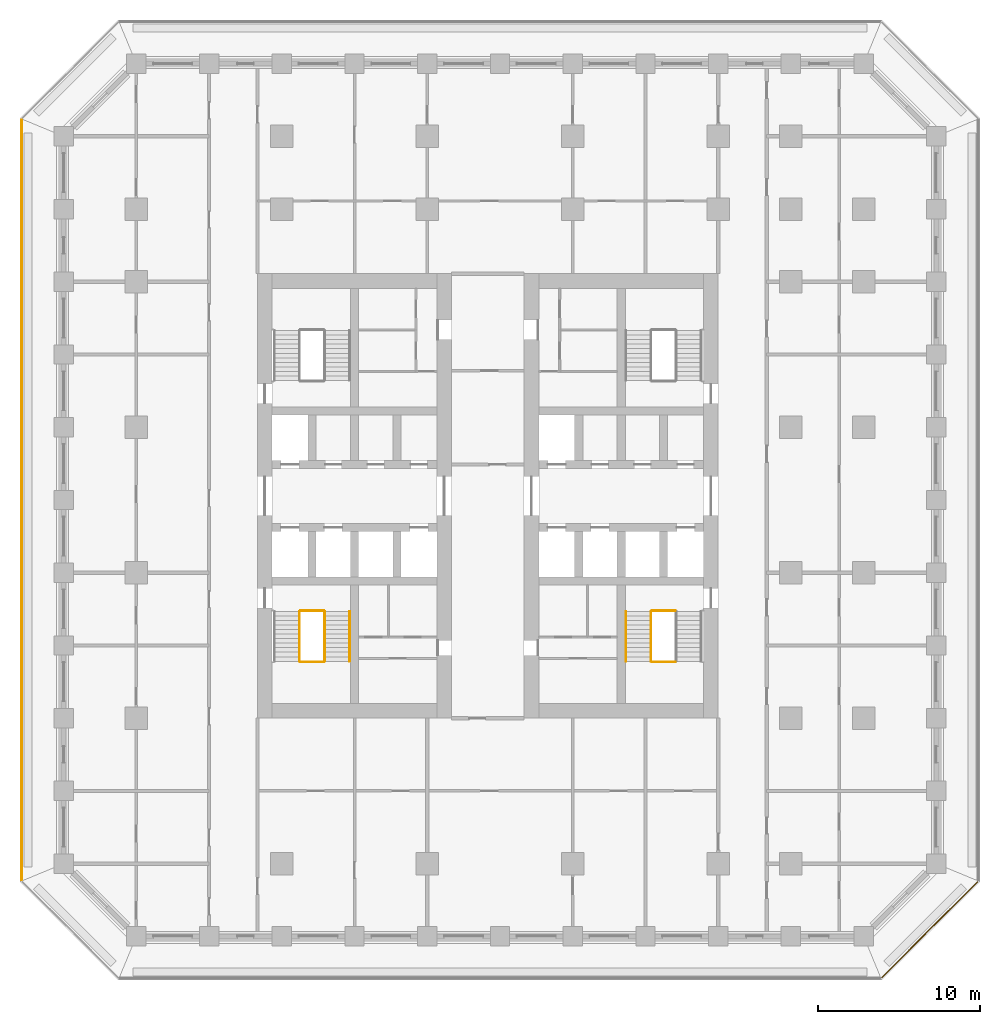
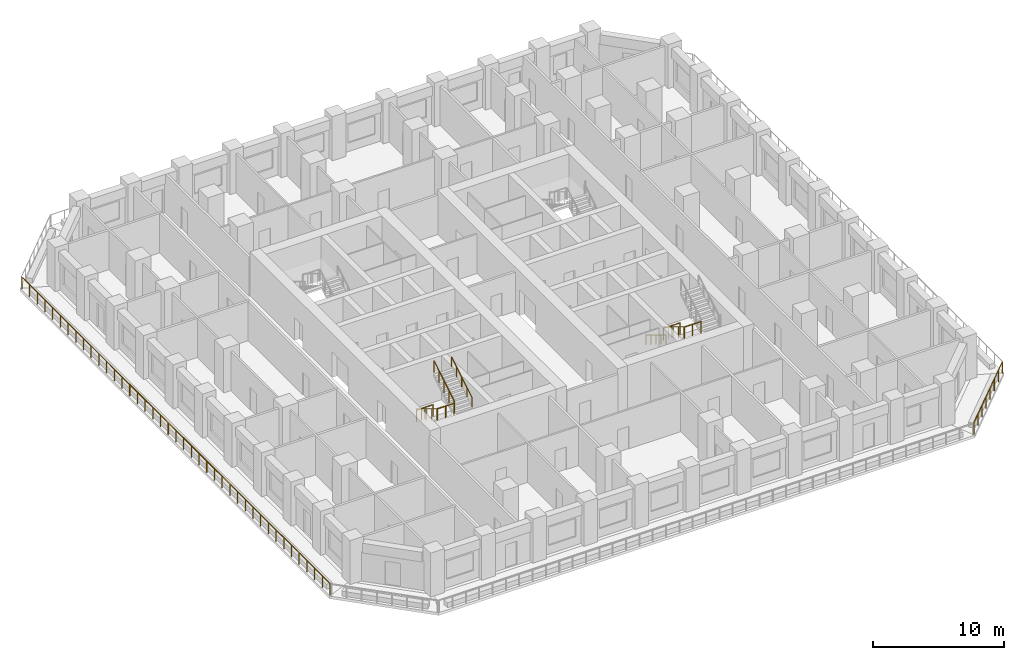
# One storey, part 12 of 18: 11 railings.
"""IFC4 building model written with IfcOpenShell, lengths in metres."""

from ifc_helpers import new_model, si_unit, direction, frame, origin, origin_2d, place, context, subcontext, project, spatial, circle, extrude, material, type_object, element, save


model = new_model("IFC4")

# Units and contexts
model_context = context("Model", 3, precision=1e-05, world=origin(), true_north=direction((0.0, 1.0)))
body_context = subcontext(model_context, "Body", "Model", "MODEL_VIEW")
ifc_project = project(units=[si_unit("LENGTHUNIT", "METRE"), si_unit("AREAUNIT", "SQUARE_METRE"), si_unit("VOLUMEUNIT", "CUBIC_METRE"), si_unit("PLANEANGLEUNIT", "RADIAN"), si_unit("MASSUNIT", "GRAM", prefix="KILO")], contexts=[model_context])

# Site, building, storey
site_placement = place(None, origin())
site = spatial("IfcSite", under=ifc_project, at=site_placement, CompositionType="ELEMENT")
building_placement = place(site_placement, origin())
building = spatial("IfcBuilding", under=site, at=building_placement, Name="Corbel Stack Research Tower", CompositionType="ELEMENT")
storey_placement = place(building_placement, frame((0.0, 0.0, 102.5)))
storey = spatial("IfcBuildingStorey", under=building, at=storey_placement, Name="L23", CompositionType="ELEMENT", Elevation=102.5)

# Railings
ifc_material_1 = material(Name="Steel S355", Category="steel")
railing_type_1 = type_object("IfcRailingType", Name="Stair guard 1100", PredefinedType="GUARDRAIL", material=ifc_material_1)
railing_1_placement = place(storey_placement, frame((-7.89990234375, -2.39990234375, 0.1708984375)))
element("IfcRailing", 1, at=railing_1_placement, inside=storey, type_object=railing_type_1, Name="L23 ST-W1 stair guard 1", PredefinedType="GUARDRAIL", context=body_context, shape_type="SweptSolid", body=[
    extrude(circle(Radius=0.02392578125, at=origin_2d()), frame((0.0, 0.0, 1.076171875), z_axis=(0.0, -0.853666305674, 0.52082035152), x_axis=(1.0, 0.0, 0.0)), (0.0, 0.0, 1.0), 3.608154296875),
    extrude(circle(Radius=0.02099609375, at=origin_2d()), origin(), (0.0, 0.0, 1.0), 1.052001953125),
    extrude(circle(Radius=0.02099609375, at=origin_2d()), frame((0.0, -0.77001953125, 0.4697265625)), (0.0, 0.0, 1.0), 1.052001953125),
    extrude(circle(Radius=0.02099609375, at=origin_2d()), frame((0.0, -1.5400390625, 0.939453125)), (0.0, 0.0, 1.0), 1.052001953125),
    extrude(circle(Radius=0.02099609375, at=origin_2d()), frame((0.0, -2.31005859375, 1.409423828125)), (0.0, 0.0, 1.0), 1.052001953125),
    extrude(circle(Radius=0.02099609375, at=origin_2d()), frame((0.0, -3.080078125, 1.879150390625)), (0.0, 0.0, 1.0), 1.052001953125),
])
railing_2_placement = place(storey_placement, frame((-7.85009765625, -5.530029296875, 2.050048828125)))
element("IfcRailing", 2, at=railing_2_placement, inside=storey, type_object=railing_type_1, Name="L23 ST-W1 stair guard 2", PredefinedType="GUARDRAIL", context=body_context, shape_type="SweptSolid", body=[
    extrude(circle(Radius=0.02392578125, at=origin_2d()), frame((0.0, 0.0, 1.076171875), z_axis=(1.0, 0.0, 0.0), x_axis=(0.0, 1.0, 0.0)), (0.0, 0.0, 1.0), 1.4501953125),
    extrude(circle(Radius=0.02099609375, at=origin_2d()), origin(), (0.0, 0.0, 1.0), 1.052001953125),
    extrude(circle(Radius=0.02099609375, at=origin_2d()), frame((0.72509765625, 0.0, 0.0)), (0.0, 0.0, 1.0), 1.052001953125),
    extrude(circle(Radius=0.02099609375, at=origin_2d()), frame((1.4501953125, 0.0, 0.0)), (0.0, 0.0, 1.0), 1.052001953125),
])
railing_3_placement = place(storey_placement, frame((-6.35009765625, -5.47998046875, 2.220947265625)))
element("IfcRailing", 3, at=railing_3_placement, inside=storey, type_object=railing_type_1, Name="L23 ST-W1 stair guard 4", PredefinedType="GUARDRAIL", context=body_context, shape_type="SweptSolid", body=[
    extrude(circle(Radius=0.02392578125, at=origin_2d()), frame((0.0, 0.0, 1.076171875), z_axis=(0.0, 0.853666305674, 0.52082035152), x_axis=(-1.0, 0.0, 0.0)), (0.0, 0.0, 1.0), 3.608154296875),
    extrude(circle(Radius=0.02099609375, at=origin_2d()), origin(), (0.0, 0.0, 1.0), 1.052001953125),
    extrude(circle(Radius=0.02099609375, at=origin_2d()), frame((0.0, 0.77001953125, 0.4697265625)), (0.0, 0.0, 1.0), 1.052001953125),
    extrude(circle(Radius=0.02099609375, at=origin_2d()), frame((0.0, 1.5400390625, 0.939453125)), (0.0, 0.0, 1.0), 1.052001953125),
    extrude(circle(Radius=0.02099609375, at=origin_2d()), frame((0.0, 2.31005859375, 1.409423828125)), (0.0, 0.0, 1.0), 1.052001953125),
    extrude(circle(Radius=0.02099609375, at=origin_2d()), frame((0.0, 3.080078125, 1.879150390625)), (0.0, 0.0, 1.0), 1.052001953125),
])
railing_4_placement = place(storey_placement, frame((-7.85009765625, -2.35009765625, 0.0)))
element("IfcRailing", 4, at=railing_4_placement, inside=storey, type_object=railing_type_1, Name="L23 ST-W1 stair guard 5", PredefinedType="GUARDRAIL", context=body_context, shape_type="SweptSolid", body=[
    extrude(circle(Radius=0.02392578125, at=origin_2d()), frame((0.0, 0.0, 1.076171875), z_axis=(1.0, 0.0, 0.0), x_axis=(0.0, 1.0, 0.0)), (0.0, 0.0, 1.0), 1.4501953125),
    extrude(circle(Radius=0.02099609375, at=origin_2d()), origin(), (0.0, 0.0, 1.0), 1.052001953125),
    extrude(circle(Radius=0.02099609375, at=origin_2d()), frame((0.72509765625, 0.0, 0.0)), (0.0, 0.0, 1.0), 1.052001953125),
    extrude(circle(Radius=0.02099609375, at=origin_2d()), frame((1.4501953125, 0.0, 0.0)), (0.0, 0.0, 1.0), 1.052001953125),
])
railing_5_placement = place(storey_placement, frame((13.85009765625, -2.39990234375, 0.1708984375)))
element("IfcRailing", 5, at=railing_5_placement, inside=storey, type_object=railing_type_1, Name="L23 ST-E1 stair guard 1", PredefinedType="GUARDRAIL", context=body_context, shape_type="SweptSolid", body=[
    extrude(circle(Radius=0.02392578125, at=origin_2d()), frame((0.0, 0.0, 1.076171875), z_axis=(0.0, -0.853666305674, 0.52082035152), x_axis=(1.0, 0.0, 0.0)), (0.0, 0.0, 1.0), 3.608154296875),
    extrude(circle(Radius=0.02099609375, at=origin_2d()), origin(), (0.0, 0.0, 1.0), 1.052001953125),
    extrude(circle(Radius=0.02099609375, at=origin_2d()), frame((0.0, -0.77001953125, 0.4697265625)), (0.0, 0.0, 1.0), 1.052001953125),
    extrude(circle(Radius=0.02099609375, at=origin_2d()), frame((0.0, -1.5400390625, 0.939453125)), (0.0, 0.0, 1.0), 1.052001953125),
    extrude(circle(Radius=0.02099609375, at=origin_2d()), frame((0.0, -2.31005859375, 1.409423828125)), (0.0, 0.0, 1.0), 1.052001953125),
    extrude(circle(Radius=0.02099609375, at=origin_2d()), frame((0.0, -3.080078125, 1.879150390625)), (0.0, 0.0, 1.0), 1.052001953125),
])
for number, where, name in (
    (6, (13.89990234375, -5.530029296875, 2.050048828125), "L23 ST-E1 stair guard 2"),
    (7, (13.89990234375, -2.35009765625, 0.0), "L23 ST-E1 stair guard 5"),
):
    element("IfcRailing", number, at=place(storey_placement, frame(where)), inside=storey, type_object=railing_type_1, Name=name, PredefinedType="GUARDRAIL", context=body_context, shape_type="SweptSolid", body=[
        extrude(circle(Radius=0.02392578125, at=origin_2d()), frame((0.0, 0.0, 1.076171875), z_axis=(1.0, 0.0, 0.0), x_axis=(0.0, 1.0, 0.0)), (0.0, 0.0, 1.0), 1.4501953125),
        extrude(circle(Radius=0.02099609375, at=origin_2d()), origin(), (0.0, 0.0, 1.0), 1.052001953125),
        extrude(circle(Radius=0.02099609375, at=origin_2d()), frame((0.72509765625, 0.0, 0.0)), (0.0, 0.0, 1.0), 1.052001953125),
        extrude(circle(Radius=0.02099609375, at=origin_2d()), frame((1.4501953125, 0.0, 0.0)), (0.0, 0.0, 1.0), 1.052001953125),
    ])
ifc_material_2 = material(Name="Steel S355", Category="steel")
railing_type_2 = type_object("IfcRailingType", Name="Stair handrail 900", PredefinedType="HANDRAIL", material=ifc_material_2)
railing_6_placement = place(storey_placement, frame((-4.800048828125, -5.47998046875, 2.220947265625)))
element("IfcRailing", 8, at=railing_6_placement, inside=storey, type_object=railing_type_2, Name="L23 ST-W1 stair handrail 2", PredefinedType="HANDRAIL", context=body_context, shape_type="SweptSolid", body=[
    extrude(circle(Radius=0.02392578125, at=origin_2d()), frame((0.0, 0.0, 0.8759765625), z_axis=(0.0, 0.853666305674, 0.52082035152), x_axis=(-1.0, 0.0, 0.0)), (0.0, 0.0, 1.0), 3.608154296875),
    extrude(circle(Radius=0.02099609375, at=origin_2d()), origin(), (0.0, 0.0, 1.0), 0.851806640625),
    extrude(circle(Radius=0.02099609375, at=origin_2d()), frame((0.0, 0.77001953125, 0.4697265625)), (0.0, 0.0, 1.0), 0.851806640625),
    extrude(circle(Radius=0.02099609375, at=origin_2d()), frame((0.0, 1.5400390625, 0.939453125)), (0.0, 0.0, 1.0), 0.851806640625),
    extrude(circle(Radius=0.02099609375, at=origin_2d()), frame((0.0, 2.31005859375, 1.409423828125)), (0.0, 0.0, 1.0), 0.851806640625),
    extrude(circle(Radius=0.02099609375, at=origin_2d()), frame((0.0, 3.080078125, 1.879150390625)), (0.0, 0.0, 1.0), 0.851806640625),
])
railing_7_placement = place(storey_placement, frame((12.300048828125, -2.39990234375, 0.1708984375)))
element("IfcRailing", 9, at=railing_7_placement, inside=storey, type_object=railing_type_2, Name="L23 ST-E1 stair handrail 1", PredefinedType="HANDRAIL", context=body_context, shape_type="SweptSolid", body=[
    extrude(circle(Radius=0.02392578125, at=origin_2d()), frame((0.0, 0.0, 0.8759765625), z_axis=(0.0, -0.853666305674, 0.52082035152), x_axis=(1.0, 0.0, 0.0)), (0.0, 0.0, 1.0), 3.608154296875),
    extrude(circle(Radius=0.02099609375, at=origin_2d()), origin(), (0.0, 0.0, 1.0), 0.851806640625),
    extrude(circle(Radius=0.02099609375, at=origin_2d()), frame((0.0, -0.77001953125, 0.4697265625)), (0.0, 0.0, 1.0), 0.851806640625),
    extrude(circle(Radius=0.02099609375, at=origin_2d()), frame((0.0, -1.5400390625, 0.939453125)), (0.0, 0.0, 1.0), 0.851806640625),
    extrude(circle(Radius=0.02099609375, at=origin_2d()), frame((0.0, -2.31005859375, 1.409423828125)), (0.0, 0.0, 1.0), 0.851806640625),
    extrude(circle(Radius=0.02099609375, at=origin_2d()), frame((0.0, -3.080078125, 1.879150390625)), (0.0, 0.0, 1.0), 0.851806640625),
])
ifc_material_3 = material(Name="Powder-coated steel guard", Category="steel")
railing_type_3 = type_object("IfcRailingType", Name="Steel and glass guard 1100", PredefinedType="GUARDRAIL", material=ifc_material_3)
railing_8_placement = place(storey_placement, frame((28.127685546875, -25.04931640625, 0.0)))
element("IfcRailing", 10, at=railing_8_placement, inside=storey, type_object=railing_type_3, Name="Loggia guard L23 SE", PredefinedType="GUARDRAIL", context=body_context, shape_type="SweptSolid", body=[
    extrude(circle(Radius=0.02392578125, at=origin_2d()), frame((0.0, 0.0, 1.076171875), z_axis=(0.707106781187, 0.707106781187, 0.0), x_axis=(-0.707106781187, 0.707106781187, 0.0)), (0.0, 0.0, 1.0), 8.37451171875),
    extrude(circle(Radius=0.02099609375, at=origin_2d()), origin(), (0.0, 0.0, 1.0), 1.052001953125),
    extrude(circle(Radius=0.02099609375, at=origin_2d()), frame((0.845947265625, 0.845947265625, 0.0)), (0.0, 0.0, 1.0), 1.052001953125),
    extrude(circle(Radius=0.02099609375, at=origin_2d()), frame((1.69189453125, 1.69189453125, 0.0)), (0.0, 0.0, 1.0), 1.052001953125),
    extrude(circle(Radius=0.02099609375, at=origin_2d()), frame((2.537841796875, 2.537841796875, 0.0)), (0.0, 0.0, 1.0), 1.052001953125),
    extrude(circle(Radius=0.02099609375, at=origin_2d()), frame((3.3837890625, 3.3837890625, 0.0)), (0.0, 0.0, 1.0), 1.052001953125),
    extrude(circle(Radius=0.02099609375, at=origin_2d()), frame((4.229736328125, 4.229736328125, 0.0)), (0.0, 0.0, 1.0), 1.052001953125),
    extrude(circle(Radius=0.02099609375, at=origin_2d()), frame((5.07568359375, 5.07568359375, 0.0)), (0.0, 0.0, 1.0), 1.052001953125),
    extrude(circle(Radius=0.02099609375, at=origin_2d()), frame((5.921630859375, 5.921630859375, 0.0)), (0.0, 0.0, 1.0), 1.052001953125),
])
railing_9_placement = place(storey_placement, frame((-25.10009765625, 28.00537109375, 0.0)))
element("IfcRailing", 11, at=railing_9_placement, inside=storey, type_object=railing_type_3, Name="Loggia guard L23 W", PredefinedType="GUARDRAIL", context=body_context, shape_type="SweptSolid", body=[
    extrude(circle(Radius=0.02392578125, at=origin_2d()), frame((0.0, 0.0, 1.076171875), z_axis=(0.0, -1.0, 0.0), x_axis=(1.0, 0.0, 0.0)), (0.0, 0.0, 1.0), 47.0107421875),
    extrude(circle(Radius=0.02099609375, at=origin_2d()), origin(), (0.0, 0.0, 1.0), 1.052001953125),
    extrude(circle(Radius=0.02099609375, at=origin_2d()), frame((0.0, -1.17529296875, 0.0)), (0.0, 0.0, 1.0), 1.052001953125),
    extrude(circle(Radius=0.02099609375, at=origin_2d()), frame((0.0, -2.3505859375, 0.0)), (0.0, 0.0, 1.0), 1.052001953125),
    extrude(circle(Radius=0.02099609375, at=origin_2d()), frame((0.0, -3.52587890625, 0.0)), (0.0, 0.0, 1.0), 1.052001953125),
    extrude(circle(Radius=0.02099609375, at=origin_2d()), frame((0.0, -4.701171875, 0.0)), (0.0, 0.0, 1.0), 1.052001953125),
    extrude(circle(Radius=0.02099609375, at=origin_2d()), frame((0.0, -5.87646484375, 0.0)), (0.0, 0.0, 1.0), 1.052001953125),
    extrude(circle(Radius=0.02099609375, at=origin_2d()), frame((0.0, -7.051513671875, 0.0)), (0.0, 0.0, 1.0), 1.052001953125),
    extrude(circle(Radius=0.02099609375, at=origin_2d()), frame((0.0, -8.226806640625, 0.0)), (0.0, 0.0, 1.0), 1.052001953125),
    extrude(circle(Radius=0.02099609375, at=origin_2d()), frame((0.0, -9.402099609375, 0.0)), (0.0, 0.0, 1.0), 1.052001953125),
    extrude(circle(Radius=0.02099609375, at=origin_2d()), frame((0.0, -10.577392578125, 0.0)), (0.0, 0.0, 1.0), 1.052001953125),
    extrude(circle(Radius=0.02099609375, at=origin_2d()), frame((0.0, -11.752685546875, 0.0)), (0.0, 0.0, 1.0), 1.052001953125),
    extrude(circle(Radius=0.02099609375, at=origin_2d()), frame((0.0, -12.927978515625, 0.0)), (0.0, 0.0, 1.0), 1.052001953125),
    extrude(circle(Radius=0.02099609375, at=origin_2d()), frame((0.0, -14.103271484375, 0.0)), (0.0, 0.0, 1.0), 1.052001953125),
    extrude(circle(Radius=0.02099609375, at=origin_2d()), frame((0.0, -15.278564453125, 0.0)), (0.0, 0.0, 1.0), 1.052001953125),
    extrude(circle(Radius=0.02099609375, at=origin_2d()), frame((0.0, -16.453857421875, 0.0)), (0.0, 0.0, 1.0), 1.052001953125),
    extrude(circle(Radius=0.02099609375, at=origin_2d()), frame((0.0, -17.62890625, 0.0)), (0.0, 0.0, 1.0), 1.052001953125),
    extrude(circle(Radius=0.02099609375, at=origin_2d()), frame((0.0, -18.80419921875, 0.0)), (0.0, 0.0, 1.0), 1.052001953125),
    extrude(circle(Radius=0.02099609375, at=origin_2d()), frame((0.0, -19.9794921875, 0.0)), (0.0, 0.0, 1.0), 1.052001953125),
    extrude(circle(Radius=0.02099609375, at=origin_2d()), frame((0.0, -21.15478515625, 0.0)), (0.0, 0.0, 1.0), 1.052001953125),
    extrude(circle(Radius=0.02099609375, at=origin_2d()), frame((0.0, -22.330078125, 0.0)), (0.0, 0.0, 1.0), 1.052001953125),
    extrude(circle(Radius=0.02099609375, at=origin_2d()), frame((0.0, -23.50537109375, 0.0)), (0.0, 0.0, 1.0), 1.052001953125),
    extrude(circle(Radius=0.02099609375, at=origin_2d()), frame((0.0, -24.6806640625, 0.0)), (0.0, 0.0, 1.0), 1.052001953125),
    extrude(circle(Radius=0.02099609375, at=origin_2d()), frame((0.0, -25.85595703125, 0.0)), (0.0, 0.0, 1.0), 1.052001953125),
    extrude(circle(Radius=0.02099609375, at=origin_2d()), frame((0.0, -27.03125, 0.0)), (0.0, 0.0, 1.0), 1.052001953125),
    extrude(circle(Radius=0.02099609375, at=origin_2d()), frame((0.0, -28.20654296875, 0.0)), (0.0, 0.0, 1.0), 1.052001953125),
    extrude(circle(Radius=0.02099609375, at=origin_2d()), frame((0.0, -29.3818359375, 0.0)), (0.0, 0.0, 1.0), 1.052001953125),
    extrude(circle(Radius=0.02099609375, at=origin_2d()), frame((0.0, -30.556884765625, 0.0)), (0.0, 0.0, 1.0), 1.052001953125),
    extrude(circle(Radius=0.02099609375, at=origin_2d()), frame((0.0, -31.732177734375, 0.0)), (0.0, 0.0, 1.0), 1.052001953125),
    extrude(circle(Radius=0.02099609375, at=origin_2d()), frame((0.0, -32.907470703125, 0.0)), (0.0, 0.0, 1.0), 1.052001953125),
    extrude(circle(Radius=0.02099609375, at=origin_2d()), frame((0.0, -34.082763671875, 0.0)), (0.0, 0.0, 1.0), 1.052001953125),
    extrude(circle(Radius=0.02099609375, at=origin_2d()), frame((0.0, -35.258056640625, 0.0)), (0.0, 0.0, 1.0), 1.052001953125),
    extrude(circle(Radius=0.02099609375, at=origin_2d()), frame((0.0, -36.433349609375, 0.0)), (0.0, 0.0, 1.0), 1.052001953125),
    extrude(circle(Radius=0.02099609375, at=origin_2d()), frame((0.0, -37.608642578125, 0.0)), (0.0, 0.0, 1.0), 1.052001953125),
    extrude(circle(Radius=0.02099609375, at=origin_2d()), frame((0.0, -38.783935546875, 0.0)), (0.0, 0.0, 1.0), 1.052001953125),
    extrude(circle(Radius=0.02099609375, at=origin_2d()), frame((0.0, -39.959228515625, 0.0)), (0.0, 0.0, 1.0), 1.052001953125),
    extrude(circle(Radius=0.02099609375, at=origin_2d()), frame((0.0, -41.13427734375, 0.0)), (0.0, 0.0, 1.0), 1.052001953125),
    extrude(circle(Radius=0.02099609375, at=origin_2d()), frame((0.0, -42.3095703125, 0.0)), (0.0, 0.0, 1.0), 1.052001953125),
    extrude(circle(Radius=0.02099609375, at=origin_2d()), frame((0.0, -43.48486328125, 0.0)), (0.0, 0.0, 1.0), 1.052001953125),
    extrude(circle(Radius=0.02099609375, at=origin_2d()), frame((0.0, -44.66015625, 0.0)), (0.0, 0.0, 1.0), 1.052001953125),
    extrude(circle(Radius=0.02099609375, at=origin_2d()), frame((0.0, -45.83544921875, 0.0)), (0.0, 0.0, 1.0), 1.052001953125),
    extrude(circle(Radius=0.02099609375, at=origin_2d()), frame((0.0, -47.0107421875, 0.0)), (0.0, 0.0, 1.0), 1.052001953125),
])

save(model, "model.ifc")
